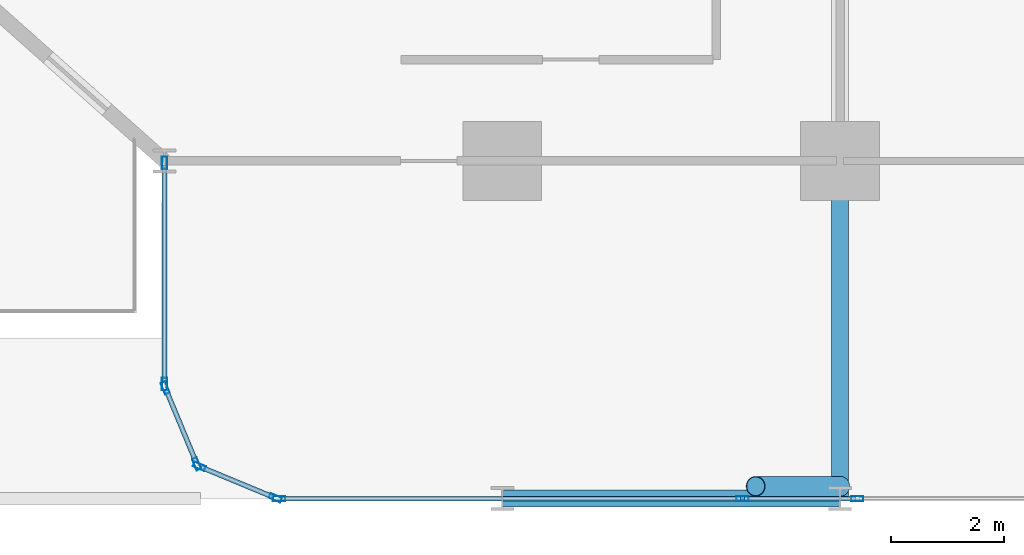
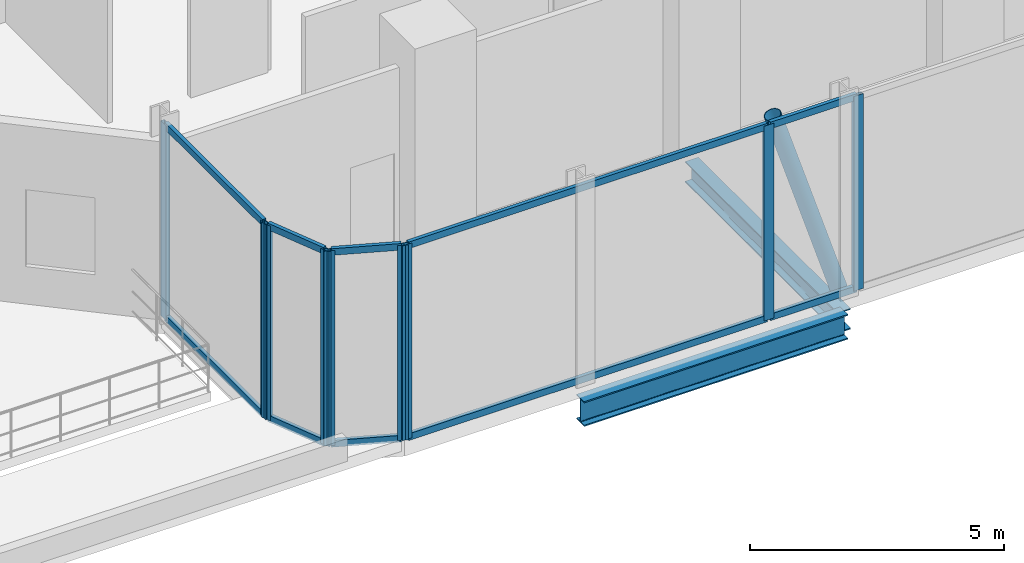
# One storey, part 2 of 29: 20 members, 2 beams, 6 elements without a shape of their own.
"""IFC4 building model written with IfcOpenShell, lengths in metres."""

import ifcopenshell
import ifcopenshell.guid

model = None  # the IFC model being written
_history = None  # IfcOwnerHistory: only IFC2X3 demands one
_inside = {}  # id of a spatial element -> (the spatial element, [elements in it])
_under = {}  # id of a project, library or spatial element -> (it, [spatial elements below it])
_declared = {}  # id of a project -> (the project, [libraries it declares])
_typed = {}  # id of a type object -> (the type object, [elements of that type])
_made_of = {}  # id of a material, layer set ... -> (it, [elements and type objects made of it])


def new_model(schema):
    """Start an empty IFC model of exactly this schema.

    Asked for "IFC4X3", IfcOpenShell would pick the latest addendum, in which some entities
    have other attributes; the version numbers below select the first issue.
    IFC2X3 requires an IfcOwnerHistory on every rooted entity: one is made here for all.
    """
    global model, _history
    if schema == "IFC4X3":
        model = ifcopenshell.file(schema_version=(4, 3, 0, 0))
    else:
        model = ifcopenshell.file(schema=schema)
    _inside.clear()
    _under.clear()
    _declared.clear()
    _typed.clear()
    _made_of.clear()
    _history = None
    if model.schema == "IFC2X3":
        org = make("IfcOrganization", Name="unknown")
        user = make(
            "IfcPersonAndOrganization",
            ThePerson=make("IfcPerson", FamilyName="unknown"),
            TheOrganization=org,
        )
        app = make(
            "IfcApplication",
            ApplicationDeveloper=org,
            Version="unknown",
            ApplicationFullName="unknown",
            ApplicationIdentifier="unknown",
        )
        _history = make(
            "IfcOwnerHistory",
            OwningUser=user,
            OwningApplication=app,
            ChangeAction="ADDED",
            CreationDate=0,
        )
    return model


def make(cls, **values):
    """One entity of the class cls with the attributes given. An attribute that is None is left unset."""
    return model.create_entity(
        cls, **{name: value for name, value in values.items() if value is not None}
    )


def rooted(cls, **values):
    """An entity with a GlobalId (a new one), such as an element, a storey or a relation."""
    return make(cls, GlobalId=ifcopenshell.guid.new(), OwnerHistory=_history, **values)


def si_unit(unit_type, name, prefix=None):
    """IfcSIUnit, for example si_unit("LENGTHUNIT", "METRE", prefix="MILLI")."""
    return make("IfcSIUnit", UnitType=unit_type, Prefix=prefix, Name=name)


def assignment(units):
    """IfcUnitAssignment: the units of a project."""
    return None if units is None else make("IfcUnitAssignment", Units=units)


def point(xyz):
    """IfcCartesianPoint."""
    return None if xyz is None else make("IfcCartesianPoint", Coordinates=xyz)


def direction(xyz):
    """IfcDirection."""
    return None if xyz is None else make("IfcDirection", DirectionRatios=xyz)


def frame(location, z_axis=None, x_axis=None):
    """IfcAxis2Placement3D, a coordinate frame: its origin and axes. An axis left out is left unset."""
    return make(
        "IfcAxis2Placement3D",
        Location=point(location),
        Axis=direction(z_axis),
        RefDirection=direction(x_axis),
    )


def frame_2d(location, x_axis=None):
    """IfcAxis2Placement2D, a coordinate frame in the plane: its origin and x axis."""
    return make(
        "IfcAxis2Placement2D", Location=point(location), RefDirection=direction(x_axis)
    )


def origin():
    """The frame at (0, 0, 0) with its axes left unset."""
    return frame((0.0, 0.0, 0.0))


def origin_2d():
    """The frame at (0, 0) in the plane with its x axis left unset."""
    return frame_2d((0.0, 0.0))


def place(relative_to, where):
    """IfcLocalPlacement: puts the frame where relative to a parent placement (None: the world)."""
    return make(
        "IfcLocalPlacement", PlacementRelTo=relative_to, RelativePlacement=where
    )


def context(
    kind, dimensions, precision=None, world=None, true_north=None, identifier=None
):
    """IfcGeometricRepresentationContext, for example the 3D "Model" context."""
    return make(
        "IfcGeometricRepresentationContext",
        ContextIdentifier=identifier,
        ContextType=kind,
        CoordinateSpaceDimension=dimensions,
        Precision=precision,
        WorldCoordinateSystem=world,
        TrueNorth=true_north,
    )


def subcontext(parent, identifier, kind, view, scale=None):
    """IfcGeometricRepresentationSubContext, for example "Body" below "Model"."""
    return make(
        "IfcGeometricRepresentationSubContext",
        ContextIdentifier=identifier,
        ContextType=kind,
        ParentContext=parent,
        TargetScale=scale,
        TargetView=view,
    )


def project(units=None, contexts=None):
    """IfcProject with its units and contexts."""
    return rooted(
        "IfcProject",
        Name="project",
        RepresentationContexts=contexts,
        UnitsInContext=assignment(units),
    )


def spatial(cls, under=None, at=None, **own):
    """A site, building, storey or space (cls), placed at a placement, below another one or the project."""
    s = rooted(cls, ObjectPlacement=at, **own)
    if under is not None:
        _under.setdefault(under.id(), (under, []))[1].append(s)
    return s


def profile(cls, at=None, kind="AREA", **sizes):
    """A parametric profile (cls). Its sizes go by their IFC names, for example OverallWidth=200.0."""
    return make(cls, ProfileType=kind, Position=at, **sizes)


def hollow_rectangle(**sizes):
    """IfcRectangleHollowProfileDef."""
    return profile("IfcRectangleHollowProfileDef", **sizes)


def hollow_circle(**sizes):
    """IfcCircleHollowProfileDef."""
    return profile("IfcCircleHollowProfileDef", **sizes)


def i_section(**sizes):
    """IfcIShapeProfileDef."""
    return profile("IfcIShapeProfileDef", **sizes)


def extrude(swept, where, along, depth):
    """IfcExtrudedAreaSolid: the profile swept, set in the frame where, extruded along a direction by depth."""
    return make(
        "IfcExtrudedAreaSolid",
        SweptArea=swept,
        Position=where,
        ExtrudedDirection=direction(along),
        Depth=depth,
    )


def shape(context_of_items, identifier, shape_type, items):
    """IfcShapeRepresentation: the items that make up one representation, for example the "Body"."""
    return make(
        "IfcShapeRepresentation",
        ContextOfItems=context_of_items,
        RepresentationIdentifier=identifier,
        RepresentationType=shape_type,
        Items=items,
    )


def material(Name=None, Category=None):
    """IfcMaterial."""
    return make("IfcMaterial", Name=Name, Category=Category)


def layer(
    of_material, thickness, ventilated=None, Name=None, Category=None, Priority=None
):
    """IfcMaterialLayer: one layer of a wall or slab, of a material (None: an air gap)."""
    return make(
        "IfcMaterialLayer",
        Material=of_material,
        LayerThickness=thickness,
        IsVentilated=ventilated,
        Name=Name,
        Category=Category,
        Priority=Priority,
    )


def layer_set(layers, Name=None):
    """IfcMaterialLayerSet."""
    return make("IfcMaterialLayerSet", MaterialLayers=layers, LayerSetName=Name)


def material_profile(
    of_material, cross_section, Name=None, Category=None, Priority=None
):
    """IfcMaterialProfile: a cross section and its material."""
    return make(
        "IfcMaterialProfile",
        Name=Name,
        Material=of_material,
        Profile=cross_section,
        Priority=Priority,
        Category=Category,
    )


def profile_set(profiles, Name=None, composite=None):
    """IfcMaterialProfileSet."""
    return make(
        "IfcMaterialProfileSet",
        Name=Name,
        MaterialProfiles=profiles,
        CompositeProfile=composite,
    )


def made_of(thing, what):
    """Note that an element or type object is made of a material, layer set ...; save() writes the relation."""
    if what is not None:
        _made_of.setdefault(what.id(), (what, []))[1].append(thing)
    return thing


def type_object(cls, material=None, **own):
    """A type object (cls), such as IfcWallType, which elements share."""
    return made_of(rooted(cls, **own), material)


def element(
    cls,
    number,
    at=None,
    inside=None,
    cuts=None,
    type_object=None,
    material=None,
    context=None,
    identifier="Body",
    shape_type=None,
    held_by="IfcProductDefinitionShape",
    body=None,
    shapes=None,
    **own,
):
    """One element of the class cls, such as IfcWall. Its Tag is "e" and its number.

    at: its placement. inside: the storey or other place that contains it. cuts: it is an
    opening in that element (IfcRelVoidsElement). A single representation is given by context,
    identifier, shape_type and body (its items); several are given by shapes. held_by: the class
    of the entity that holds the representations. save() writes the other relations.
    """
    e = rooted(cls, Tag="e%d" % number, ObjectPlacement=at, **own)
    if body is not None:
        shapes = [shape(context, identifier, shape_type, body)]
    if shapes is not None:
        e.Representation = make(held_by, Representations=shapes)
    if inside is not None:
        _inside.setdefault(inside.id(), (inside, []))[1].append(e)
    if cuts is not None:
        rooted(
            "IfcRelVoidsElement", RelatingBuildingElement=cuts, RelatedOpeningElement=e
        )
    if type_object is not None:
        _typed.setdefault(type_object.id(), (type_object, []))[1].append(e)
    return made_of(e, material)


def aggregate(whole, parts):
    """IfcRelAggregates: a whole, such as a stair, and the parts it consists of."""
    return rooted("IfcRelAggregates", RelatingObject=whole, RelatedObjects=parts)


def save(model, path):
    """Write the relations noted so far, then the file.

    IfcRelAggregates (storeys below a building ...), IfcRelContainedInSpatialStructure (elements
    in a storey), IfcRelDefinesByType, IfcRelAssociatesMaterial and IfcRelDeclares: one each for
    every whole, place, type object, material and project.
    """
    for whole, parts in _under.values():
        aggregate(whole, parts)
    for where, things in _inside.values():
        rooted(
            "IfcRelContainedInSpatialStructure",
            RelatedElements=things,
            RelatingStructure=where,
        )
    for kind, things in _typed.values():
        rooted("IfcRelDefinesByType", RelatedObjects=things, RelatingType=kind)
    for what, things in _made_of.values():
        rooted("IfcRelAssociatesMaterial", RelatedObjects=things, RelatingMaterial=what)
    for by, libraries in _declared.values():
        rooted("IfcRelDeclares", RelatingContext=by, RelatedDefinitions=libraries)
    model.write(path)


model = new_model("IFC4")

# Units and contexts
model_context = context("Model", 3, precision=1e-05, world=origin(), true_north=direction((0.0, 1.0)))
body_context = subcontext(model_context, "Body", "Model", "MODEL_VIEW")
ifc_project = project(units=[si_unit("LENGTHUNIT", "METRE"), si_unit("AREAUNIT", "SQUARE_METRE"), si_unit("VOLUMEUNIT", "CUBIC_METRE"), si_unit("PLANEANGLEUNIT", "RADIAN"), si_unit("MASSUNIT", "GRAM", prefix="KILO")], contexts=[model_context])

# Site, building, storey
site_placement = place(None, origin())
site = spatial("IfcSite", under=ifc_project, at=site_placement, CompositionType="ELEMENT")
building_placement = place(site_placement, origin())
building = spatial("IfcBuilding", under=site, at=building_placement, Name="Keshet Zoharim Tower", CompositionType="ELEMENT")
storey_placement = place(building_placement, frame((0.0, 0.0, 19.0)))
storey = spatial("IfcBuildingStorey", under=building, at=storey_placement, Name="L03", CompositionType="ELEMENT", Elevation=19.0)

# Beams
ifc_material_1 = material(Name="Steel S355", Category="steel")
ifc_material_profile_1 = material_profile(ifc_material_1, i_section(OverallWidth=0.300048828125, OverallDepth=0.5, WebThickness=0.014404296875, FlangeThickness=0.028076171875, FilletRadius=0.027099609375, at=origin_2d()), Name="HEB500")
ifc_profile_set_1 = profile_set([ifc_material_profile_1], Name="Steel S355")
beam_type_1 = type_object("IfcBeamType", Name="BM-WEB-HB500", PredefinedType="BEAM", material=ifc_profile_set_1)
beam_1_placement = place(storey_placement, frame((33.0, 0.699951171875, -0.669921875), z_axis=(0.0, 1.0, 0.0), x_axis=(-1.0, 0.0, 0.0)))
element("IfcBeam", 1, at=beam_1_placement, inside=storey, type_object=beam_type_1, Name="L03 Primary Girder Y-003", PredefinedType="BEAM", context=body_context, shape_type="SweptSolid", body=[
    extrude(i_section(OverallWidth=0.300048828125, OverallDepth=0.5, WebThickness=0.014404296875, FlangeThickness=0.028076171875, FilletRadius=0.027099609375, at=origin_2d()), origin(), (0.0, 0.0, 1.0), 6.0),
])
ifc_material_profile_2 = material_profile(ifc_material_1, i_section(OverallWidth=0.300048828125, OverallDepth=0.60009765625, WebThickness=0.015380859375, FlangeThickness=0.030029296875, FilletRadius=0.027099609375, at=origin_2d()), Name="HEB600")
ifc_profile_set_2 = profile_set([ifc_material_profile_2], Name="Steel S355")
beam_type_2 = type_object("IfcBeamType", Name="BM-WEB-HB600", PredefinedType="BEAM", material=ifc_profile_set_2)
beam_2_placement = place(storey_placement, frame((27.0, 0.699951171875, -0.719970703125), z_axis=(1.0, 0.0, 0.0), x_axis=(0.0, 1.0, 0.0)))
element("IfcBeam", 2, at=beam_2_placement, inside=storey, type_object=beam_type_2, Name="L03 Primary Girder X-001", PredefinedType="BEAM", context=body_context, shape_type="SweptSolid", body=[
    extrude(i_section(OverallWidth=0.300048828125, OverallDepth=0.60009765625, WebThickness=0.015380859375, FlangeThickness=0.030029296875, FilletRadius=0.027099609375, at=origin_2d()), origin(), (0.0, 0.0, 1.0), 6.0),
])

# Curtain wall, member
ifc_material_2 = material(Name="Aluminium 6063-T6", Category="aluminium")
ifc_layer = layer(ifc_material_2, 0.179931640625)
ifc_layer_set = layer_set([ifc_layer], Name="Aluminium 6063-T6")
curtain_wall_type = type_object("IfcCurtainWallType", Name="CW-SYS-01", PredefinedType="NOTDEFINED", material=ifc_layer_set)
curtain_wall_1_placement = place(storey_placement, origin())
curtain_wall_1 = element("IfcCurtainWall", 3, at=curtain_wall_1_placement, inside=storey, type_object=curtain_wall_type, Name="L03 Unitised Curtain Wall 25 Part 3", PredefinedType="NOTDEFINED")
ifc_material_profile_3 = material_profile(ifc_material_2, hollow_rectangle(XDim=0.090087890625, YDim=0.219970703125, WallThickness=0.0048828125, at=origin_2d()), Name="MUL-90x220")
ifc_profile_set_3 = profile_set([ifc_material_profile_3], Name="Aluminium 6063-T6")
member_type_1 = type_object("IfcMemberType", Name="CWM-M22", PredefinedType="MULLION", material=ifc_profile_set_3)
member_1_placement = place(storey_placement, frame((33.30419921875, 0.699951171875, 0.0), z_axis=(0.0, 0.0, 1.0), x_axis=(0.0, -1.0, 0.0)))
member_1 = element("IfcMember", 4, at=member_1_placement, type_object=member_type_1, Name="CW-01 mullion 2", PredefinedType="MULLION", context=body_context, shape_type="SweptSolid", body=[
    extrude(hollow_rectangle(XDim=0.090087890625, YDim=0.219970703125, WallThickness=0.0048828125, at=origin_2d()), origin(), (0.0, 0.0, 1.0), 4.68505859375),
])
aggregate(curtain_wall_1, [member_1])

curtain_wall_2_placement = place(storey_placement, origin())
curtain_wall_2 = element("IfcCurtainWall", 5, at=curtain_wall_2_placement, inside=storey, type_object=curtain_wall_type, Name="L03 Unitised Curtain Wall 25 Part 4", PredefinedType="NOTDEFINED")
member_2_placement = place(storey_placement, frame((31.265625, 0.699951171875, 0.0), z_axis=(0.0, 0.0, 1.0), x_axis=(0.0, -1.0, 0.0)))
member_2 = element("IfcMember", 6, at=member_2_placement, type_object=member_type_1, Name="CW-01 mullion 2", PredefinedType="MULLION", context=body_context, shape_type="SweptSolid", body=[
    extrude(hollow_rectangle(XDim=0.090087890625, YDim=0.219970703125, WallThickness=0.0048828125, at=origin_2d()), origin(), (0.0, 0.0, 1.0), 4.68505859375),
])

curtain_wall_3_placement = place(storey_placement, origin())
curtain_wall_3 = element("IfcCurtainWall", 7, at=curtain_wall_3_placement, inside=storey, type_object=curtain_wall_type, Name="L03 Unitised Curtain Wall 25 Part 5", PredefinedType="NOTDEFINED")
member_3_placement = place(storey_placement, frame((23.034912109375, 0.699951171875, 0.0), z_axis=(0.0, 0.0, 1.0), x_axis=(0.0, -1.0, 0.0)))
member_3 = element("IfcMember", 8, at=member_3_placement, type_object=member_type_1, Name="CW-01 mullion 2", PredefinedType="MULLION", context=body_context, shape_type="SweptSolid", body=[
    extrude(hollow_rectangle(XDim=0.090087890625, YDim=0.219970703125, WallThickness=0.0048828125, at=origin_2d()), origin(), (0.0, 0.0, 1.0), 4.68505859375),
])

# Curtain wall, members
curtain_wall_4_placement = place(storey_placement, origin())
curtain_wall_4 = element("IfcCurtainWall", 9, at=curtain_wall_4_placement, inside=storey, type_object=curtain_wall_type, Name="L03 Unitised Curtain Wall 26", PredefinedType="NOTDEFINED")
member_4_placement = place(storey_placement, frame((22.9677734375, 0.71337890625, 0.0), z_axis=(0.0, 0.0, 1.0), x_axis=(-0.382851849847, -0.92380975372, 0.0)))
member_4 = element("IfcMember", 10, at=member_4_placement, type_object=member_type_1, Name="CW-01 mullion 1", PredefinedType="MULLION", context=body_context, shape_type="SweptSolid", body=[
    extrude(hollow_rectangle(XDim=0.090087890625, YDim=0.219970703125, WallThickness=0.0048828125, at=origin_2d()), origin(), (0.0, 0.0, 1.0), 4.68505859375),
])
member_5_placement = place(storey_placement, frame((21.618408203125, 1.272705078125, 0.0), z_axis=(0.0, 0.0, 1.0), x_axis=(-0.382851849847, -0.92380975372, 0.0)))
member_5 = element("IfcMember", 11, at=member_5_placement, type_object=member_type_1, Name="CW-01 mullion 2", PredefinedType="MULLION", context=body_context, shape_type="SweptSolid", body=[
    extrude(hollow_rectangle(XDim=0.090087890625, YDim=0.219970703125, WallThickness=0.0048828125, at=origin_2d()), origin(), (0.0, 0.0, 1.0), 4.68505859375),
])

curtain_wall_5_placement = place(storey_placement, origin())
curtain_wall_5 = element("IfcCurtainWall", 12, at=curtain_wall_5_placement, inside=storey, type_object=curtain_wall_type, Name="L03 Unitised Curtain Wall 27", PredefinedType="NOTDEFINED")
member_6_placement = place(storey_placement, frame((21.572509765625, 1.318359375, 0.0), z_axis=(0.0, 0.0, 1.0), x_axis=(-0.92380975372, -0.382851849847, 0.0)))
member_6 = element("IfcMember", 13, at=member_6_placement, type_object=member_type_1, Name="CW-01 mullion 1", PredefinedType="MULLION", context=body_context, shape_type="SweptSolid", body=[
    extrude(hollow_rectangle(XDim=0.090087890625, YDim=0.219970703125, WallThickness=0.0048828125, at=origin_2d()), origin(), (0.0, 0.0, 1.0), 4.68505859375),
])
member_7_placement = place(storey_placement, frame((21.013427734375, 2.667724609375, 0.0), z_axis=(0.0, 0.0, 1.0), x_axis=(-0.92380975372, -0.382851849847, 0.0)))
member_7 = element("IfcMember", 14, at=member_7_placement, type_object=member_type_1, Name="CW-01 mullion 2", PredefinedType="MULLION", context=body_context, shape_type="SweptSolid", body=[
    extrude(hollow_rectangle(XDim=0.090087890625, YDim=0.219970703125, WallThickness=0.0048828125, at=origin_2d()), origin(), (0.0, 0.0, 1.0), 4.68505859375),
])

curtain_wall_6_placement = place(storey_placement, origin())
curtain_wall_6 = element("IfcCurtainWall", 15, at=curtain_wall_6_placement, inside=storey, type_object=curtain_wall_type, Name="L03 Unitised Curtain Wall 28", PredefinedType="NOTDEFINED")
member_8_placement = place(storey_placement, frame((21.0, 2.735107421875, 0.0), z_axis=(0.0, 0.0, 1.0), x_axis=(-1.0, 0.0, 0.0)))
member_8 = element("IfcMember", 16, at=member_8_placement, type_object=member_type_1, Name="CW-01 mullion 1", PredefinedType="MULLION", context=body_context, shape_type="SweptSolid", body=[
    extrude(hollow_rectangle(XDim=0.090087890625, YDim=0.219970703125, WallThickness=0.0048828125, at=origin_2d()), origin(), (0.0, 0.0, 1.0), 4.68505859375),
])
member_9_placement = place(storey_placement, frame((21.0, 6.6650390625, 0.0), z_axis=(0.0, 0.0, 1.0), x_axis=(-1.0, 0.0, 0.0)))
member_9 = element("IfcMember", 17, at=member_9_placement, type_object=member_type_1, Name="CW-01 mullion 2", PredefinedType="MULLION", context=body_context, shape_type="SweptSolid", body=[
    extrude(hollow_rectangle(XDim=0.090087890625, YDim=0.219970703125, WallThickness=0.0048828125, at=origin_2d()), origin(), (0.0, 0.0, 1.0), 4.68505859375),
])

# Member
ifc_material_profile_4 = material_profile(ifc_material_2, hollow_rectangle(XDim=0.0849609375, YDim=0.159912109375, WallThickness=0.00439453125, at=origin_2d()), Name="TRN-85x160")
ifc_profile_set_4 = profile_set([ifc_material_profile_4], Name="Aluminium 6063-T6")
member_type_2 = type_object("IfcMemberType", Name="CWT-T16", PredefinedType="USERDEFINED", material=ifc_profile_set_4)
member_10_placement = place(storey_placement, frame((33.269287109375, 0.699951171875, 0.034912109375), z_axis=(-1.0, 0.0, 0.0), x_axis=(0.0, -1.0, 0.0)))
member_10 = element("IfcMember", 18, at=member_10_placement, type_object=member_type_2, Name="CW-01 transom 1.1", ObjectType="TRANSOM", PredefinedType="USERDEFINED", context=body_context, shape_type="SweptSolid", body=[
    extrude(hollow_rectangle(XDim=0.0849609375, YDim=0.159912109375, WallThickness=0.00439453125, at=origin_2d()), origin(), (0.0, 0.0, 1.0), 1.968505859375),
])

member_11_placement = place(storey_placement, frame((33.269287109375, 0.699951171875, 4.64990234375), z_axis=(-1.0, 0.0, 0.0), x_axis=(0.0, -1.0, 0.0)))
member_11 = element("IfcMember", 19, at=member_11_placement, type_object=member_type_2, Name="CW-01 transom 1.2", ObjectType="TRANSOM", PredefinedType="USERDEFINED", context=body_context, shape_type="SweptSolid", body=[
    extrude(hollow_rectangle(XDim=0.0849609375, YDim=0.159912109375, WallThickness=0.00439453125, at=origin_2d()), origin(), (0.0, 0.0, 1.0), 1.968505859375),
])

aggregate(curtain_wall_2, [member_2, member_10, member_11])

member_12_placement = place(storey_placement, frame((31.230712890625, 0.699951171875, 0.034912109375), z_axis=(-1.0, 0.0, 0.0), x_axis=(0.0, -1.0, 0.0)))
member_12 = element("IfcMember", 20, at=member_12_placement, type_object=member_type_2, Name="CW-01 transom 1.1", ObjectType="TRANSOM", PredefinedType="USERDEFINED", context=body_context, shape_type="SweptSolid", body=[
    extrude(hollow_rectangle(XDim=0.0849609375, YDim=0.159912109375, WallThickness=0.00439453125, at=origin_2d()), origin(), (0.0, 0.0, 1.0), 8.16064453125),
])

member_13_placement = place(storey_placement, frame((31.230712890625, 0.699951171875, 4.64990234375), z_axis=(-1.0, 0.0, 0.0), x_axis=(0.0, -1.0, 0.0)))
member_13 = element("IfcMember", 21, at=member_13_placement, type_object=member_type_2, Name="CW-01 transom 1.2", ObjectType="TRANSOM", PredefinedType="USERDEFINED", context=body_context, shape_type="SweptSolid", body=[
    extrude(hollow_rectangle(XDim=0.0849609375, YDim=0.159912109375, WallThickness=0.00439453125, at=origin_2d()), origin(), (0.0, 0.0, 1.0), 8.16064453125),
])

aggregate(curtain_wall_3, [member_3, member_12, member_13])

member_14_placement = place(storey_placement, frame((22.935302734375, 0.726806640625, 0.034912109375), z_axis=(-0.92379209995, 0.382894445076, 0.0), x_axis=(-0.382894445076, -0.92379209995, 0.0)))
member_14 = element("IfcMember", 22, at=member_14_placement, type_object=member_type_2, Name="CW-01 transom 1.1", ObjectType="TRANSOM", PredefinedType="USERDEFINED", context=body_context, shape_type="SweptSolid", body=[
    extrude(hollow_rectangle(XDim=0.0849609375, YDim=0.159912109375, WallThickness=0.00439453125, at=origin_2d()), origin(), (0.0, 0.0, 1.0), 1.390625),
])

member_15_placement = place(storey_placement, frame((22.935302734375, 0.726806640625, 4.64990234375), z_axis=(-0.92379209995, 0.382894445076, 0.0), x_axis=(-0.382894445076, -0.92379209995, 0.0)))
member_15 = element("IfcMember", 23, at=member_15_placement, type_object=member_type_2, Name="CW-01 transom 1.2", ObjectType="TRANSOM", PredefinedType="USERDEFINED", context=body_context, shape_type="SweptSolid", body=[
    extrude(hollow_rectangle(XDim=0.0849609375, YDim=0.159912109375, WallThickness=0.00439453125, at=origin_2d()), origin(), (0.0, 0.0, 1.0), 1.390625),
])

aggregate(curtain_wall_4, [member_4, member_5, member_14, member_15])

member_16_placement = place(storey_placement, frame((21.55908203125, 1.3505859375, 0.034912109375), z_axis=(-0.382744609247, 0.923854189844, 0.0), x_axis=(-0.923854189844, -0.382744609247, 0.0)))
member_16 = element("IfcMember", 24, at=member_16_placement, type_object=member_type_2, Name="CW-01 transom 1.1", ObjectType="TRANSOM", PredefinedType="USERDEFINED", context=body_context, shape_type="SweptSolid", body=[
    extrude(hollow_rectangle(XDim=0.0849609375, YDim=0.159912109375, WallThickness=0.00439453125, at=origin_2d()), origin(), (0.0, 0.0, 1.0), 1.390625),
])

member_17_placement = place(storey_placement, frame((21.55908203125, 1.3505859375, 4.64990234375), z_axis=(-0.382744609247, 0.923854189844, 0.0), x_axis=(-0.923854189844, -0.382744609247, 0.0)))
member_17 = element("IfcMember", 25, at=member_17_placement, type_object=member_type_2, Name="CW-01 transom 1.2", ObjectType="TRANSOM", PredefinedType="USERDEFINED", context=body_context, shape_type="SweptSolid", body=[
    extrude(hollow_rectangle(XDim=0.0849609375, YDim=0.159912109375, WallThickness=0.00439453125, at=origin_2d()), origin(), (0.0, 0.0, 1.0), 1.390625),
])

aggregate(curtain_wall_5, [member_6, member_7, member_16, member_17])

member_18_placement = place(storey_placement, frame((21.0, 2.77001953125, 0.034912109375), z_axis=(0.0, 1.0, 0.0), x_axis=(-1.0, 0.0, 0.0)))
member_18 = element("IfcMember", 26, at=member_18_placement, type_object=member_type_2, Name="CW-01 transom 1.1", ObjectType="TRANSOM", PredefinedType="USERDEFINED", context=body_context, shape_type="SweptSolid", body=[
    extrude(hollow_rectangle(XDim=0.0849609375, YDim=0.159912109375, WallThickness=0.00439453125, at=origin_2d()), origin(), (0.0, 0.0, 1.0), 3.85986328125),
])

member_19_placement = place(storey_placement, frame((21.0, 2.77001953125, 4.64990234375), z_axis=(0.0, 1.0, 0.0), x_axis=(-1.0, 0.0, 0.0)))
member_19 = element("IfcMember", 27, at=member_19_placement, type_object=member_type_2, Name="CW-01 transom 1.2", ObjectType="TRANSOM", PredefinedType="USERDEFINED", context=body_context, shape_type="SweptSolid", body=[
    extrude(hollow_rectangle(XDim=0.0849609375, YDim=0.159912109375, WallThickness=0.00439453125, at=origin_2d()), origin(), (0.0, 0.0, 1.0), 3.85986328125),
])

aggregate(curtain_wall_6, [member_8, member_9, member_18, member_19])

ifc_material_profile_5 = material_profile(ifc_material_1, hollow_circle(Radius=0.177734375, WallThickness=0.012451171875, at=origin_2d()), Name="CHS355x12.5")
ifc_profile_set_5 = profile_set([ifc_material_profile_5], Name="Steel S355")
member_type_3 = type_object("IfcMemberType", Name="MB-BR-C355", PredefinedType="BRACE", material=ifc_profile_set_5)
member_20_placement = place(storey_placement, frame((33.0, 0.919921875, 0.0), z_axis=(-0.304919784201, 0.0, 0.952378036917), x_axis=(0.0, -1.0, 0.0)))
element("IfcMember", 28, at=member_20_placement, inside=storey, type_object=member_type_3, Name="L03 Perimeter Tube Brace 02", PredefinedType="BRACE", context=body_context, shape_type="SweptSolid", body=[
    extrude(hollow_circle(Radius=0.177734375, WallThickness=0.012451171875, at=origin_2d()), origin(), (0.0, 0.0, 1.0), 4.91943359375),
])

save(model, "model.ifc")
